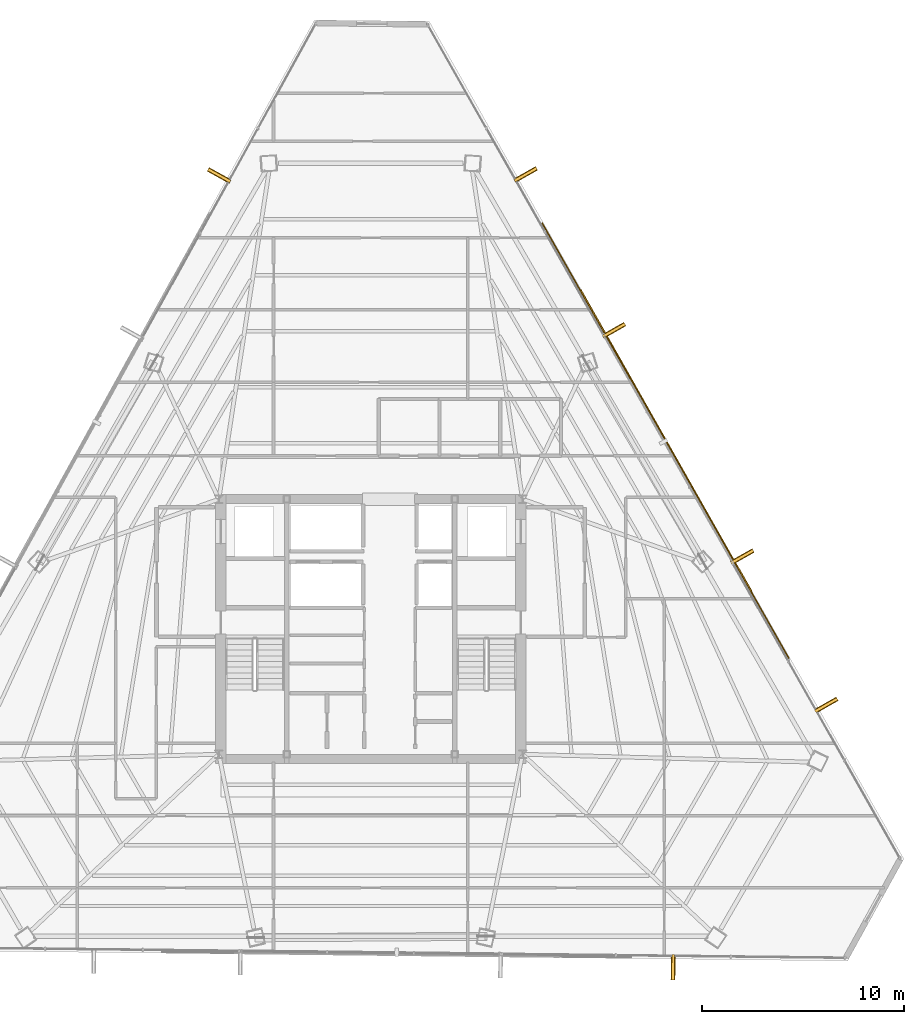
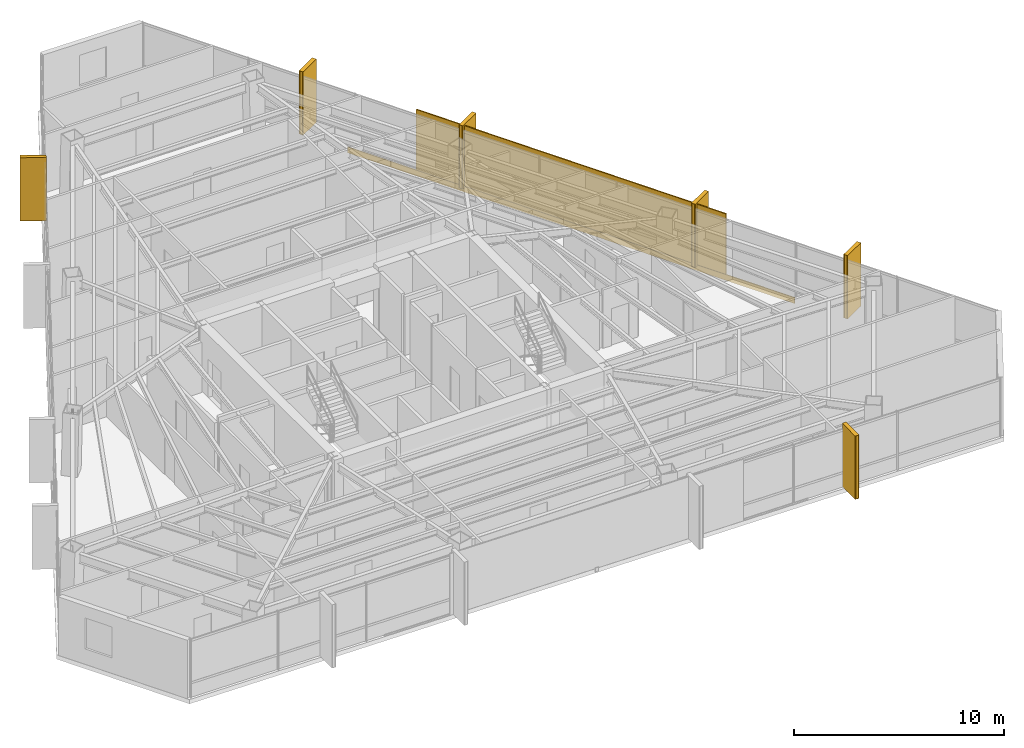
# One storey, part 42 of 42: 7 coverings, 7 shading devices.
"""IFC4 building model written with IfcOpenShell, lengths in metres."""

from ifc_helpers import new_model, si_unit, direction, frame, origin, origin_2d, place, context, subcontext, project, spatial, rectangle, extrude, source, transform, mapped, material, layer, layer_set, type_object, type_shapes, element, save


model = new_model("IFC4")

# Units and contexts
model_context = context("Model", 3, precision=1e-05, world=origin(), true_north=direction((0.0, 1.0)))
body_context = subcontext(model_context, "Body", "Model", "MODEL_VIEW")
ifc_project = project(units=[si_unit("LENGTHUNIT", "METRE"), si_unit("AREAUNIT", "SQUARE_METRE"), si_unit("VOLUMEUNIT", "CUBIC_METRE"), si_unit("PLANEANGLEUNIT", "RADIAN"), si_unit("MASSUNIT", "GRAM", prefix="KILO")], contexts=[model_context])

# Site, building, storey
site_placement = place(None, origin())
site = spatial("IfcSite", under=ifc_project, at=site_placement, CompositionType="ELEMENT")
building_placement = place(site_placement, origin())
building = spatial("IfcBuilding", under=site, at=building_placement, Name="Caelisora Broadcast Tower", CompositionType="ELEMENT")
storey_placement = place(building_placement, frame((0.0, 0.0, 205.949951171875)))
storey = spatial("IfcBuildingStorey", under=building, at=storey_placement, Name="L54", CompositionType="ELEMENT", Elevation=205.949951171875)

# Coverings
ifc_material_1 = material(Name="Kiln-Fired Terracotta Spandrel Rainscreen Cladding", Category="ceramic")
ifc_layer_1 = layer(ifc_material_1, 0.044921875, Name="Kiln-Fired Terracotta Spandrel Rainscreen Cladding")
ifc_layer_set_1 = layer_set([ifc_layer_1], Name="Kiln-Fired Terracotta Spandrel Rainscreen Cladding")
covering_type = type_object("IfcCoveringType", Name="CL-1", PredefinedType="CLADDING", material=ifc_layer_set_1)
shared_shape_1 = source(origin(), body_context, "Body", "SweptSolid", [
    extrude(rectangle(XDim=0.219970703125, YDim=1.25, at=origin_2d()), origin(), (0.0, 0.0, 1.0), 3.68994140625),
])
for number, where, z_axis, x_axis, name in (
    (1, (45.65380859375, 46.037109375, -0.02001953125), (0.0, 0.0, 1.0), (0.493031062956, -0.87001170737, 0.0), "L54 vertical solar fin cladding #1-1"),
    (2, (50.014404296875, 38.34130859375, -0.02001953125), (0.0, 0.0, 1.0), (0.493031062956, -0.87001170737, 0.0), "L54 vertical solar fin cladding #1-2"),
    (3, (56.35205078125, 27.15625, -0.02001953125), (0.0, 0.0, 1.0), (0.493031062956, -0.87001170737, 0.0), "L54 vertical solar fin cladding #1-3"),
    (4, (60.503173828125, 19.830078125, -0.02001953125), (0.0, 0.0, 1.0), (0.493031062956, -0.87001170737, 0.0), "L54 vertical solar fin cladding #1-4"),
    (5, (52.9375, 6.875, -0.02001953125), (0.0, 0.0, 1.0), (-0.99993565026, 0.011344396795, 0.0), "L54 vertical solar fin cladding #2-1"),
    (6, (30.51318359375, 45.9912109375, -0.02001953125), (0.0, 0.0, 1.0), (0.48312957851, 0.875548862354, 0.0), "L54 vertical solar fin cladding #3-4"),
):
    element("IfcCovering", number, at=place(storey_placement, frame(where, z_axis=z_axis, x_axis=x_axis)), inside=storey, type_object=covering_type, Name=name, PredefinedType="CLADDING", context=body_context, shape_type="MappedRepresentation", body=[
        mapped(shared_shape_1, transform((0.0, 0.0, 0.0), scale=1.0)),
    ])

# Shading devices
ifc_material_2 = material(Name="Extruded Terracotta Flaring Colonnade Fin", Category="ceramic")
ifc_layer_2 = layer(ifc_material_2, 0.139892578125, Name="Extruded Terracotta Flaring Colonnade Fin")
ifc_layer_set_2 = layer_set([ifc_layer_2], Name="Extruded Terracotta Flaring Colonnade Fin")
shading_device_type_1 = type_object("IfcShadingDeviceType", Name="FN-1", PredefinedType="USERDEFINED", material=ifc_layer_set_2)
shared_shape_2 = source(origin(), body_context, "Body", "SweptSolid", [
    extrude(rectangle(XDim=0.139892578125, YDim=1.25, at=origin_2d()), origin(), (0.0, 0.0, 1.0), 3.669921875),
])
type_shapes(shading_device_type_1, [shared_shape_2])
for number, where, z_axis, x_axis, name in (
    (7, (45.65380859375, 46.037109375, -0.010009765625), (0.0, 0.0, 1.0), (0.493031062956, -0.87001170737, 0.0), "L54 vertical terracotta fin #1-1"),
    (8, (50.014404296875, 38.34130859375, -0.010009765625), (0.0, 0.0, 1.0), (0.493031062956, -0.87001170737, 0.0), "L54 vertical terracotta fin #1-2"),
    (9, (56.35205078125, 27.15625, -0.010009765625), (0.0, 0.0, 1.0), (0.493031062956, -0.87001170737, 0.0), "L54 vertical terracotta fin #1-3"),
    (10, (60.503173828125, 19.830078125, -0.010009765625), (0.0, 0.0, 1.0), (0.493031062956, -0.87001170737, 0.0), "L54 vertical terracotta fin #1-4"),
    (11, (52.9375, 6.875, -0.010009765625), (0.0, 0.0, 1.0), (-0.99993565026, 0.011344396795, 0.0), "L54 vertical terracotta fin #2-1"),
    (12, (30.51318359375, 45.9912109375, -0.010009765625), (0.0, 0.0, 1.0), (0.48312957851, 0.875548862354, 0.0), "L54 vertical terracotta fin #3-4"),
):
    element("IfcShadingDevice", number, at=place(storey_placement, frame(where, z_axis=z_axis, x_axis=x_axis)), inside=storey, type_object=shading_device_type_1, Name=name, ObjectType="FIN", PredefinedType="USERDEFINED", context=body_context, shape_type="MappedRepresentation", body=[
        mapped(shared_shape_2, transform((0.0, 0.0, 0.0), scale=1.0)),
    ])
ifc_material_3 = material(Name="Perforated Glazed Terracotta Baguette Solar Screen", Category="ceramic")
ifc_layer_3 = layer(ifc_material_3, 0.06494140625, Name="Perforated Glazed Terracotta Baguette Solar Screen")
ifc_layer_set_3 = layer_set([ifc_layer_3], Name="Perforated Glazed Terracotta Baguette Solar Screen")
shading_device_type_2 = type_object("IfcShadingDeviceType", Name="SS-1", PredefinedType="USERDEFINED", material=ifc_layer_set_3)
shared_shape_3 = source(origin(), body_context, "Body", "SweptSolid", [
    extrude(rectangle(XDim=17.12109375, YDim=0.06494140625, at=origin_2d()), origin(), (0.0, 0.0, 1.0), 3.590087890625),
])
type_shapes(shading_device_type_2, [shared_shape_3])
shading_device_placement = place(storey_placement, frame((52.581787109375, 32.897705078125, 0.0), z_axis=(0.0, 0.0, 1.0), x_axis=(-0.493031062956, 0.87001170737, 0.0)))
element("IfcShadingDevice", 13, at=shading_device_placement, inside=storey, type_object=shading_device_type_2, Name="L54 perforated terracotta solar screen #3", ObjectType="SOLAR SCREEN", PredefinedType="USERDEFINED", context=body_context, shape_type="MappedRepresentation", body=[
    mapped(shared_shape_3, transform((0.0, 0.0, 0.0), scale=1.0)),
])

# Covering
shared_shape_4 = source(origin(), body_context, "Body", "SweptSolid", [
    extrude(rectangle(XDim=24.72998046875, YDim=0.044921875, at=origin_2d()), origin(), (0.0, 0.0, 1.0), 0.340087890625),
])
type_shapes(covering_type, [shared_shape_1, shared_shape_4])
covering_placement = place(storey_placement, frame((52.564208984375, 32.887939453125, -0.27001953125), z_axis=(0.0, 0.0, 1.0), x_axis=(-0.493031062956, 0.87001170737, 0.0)))
element("IfcCovering", 14, at=covering_placement, inside=storey, type_object=covering_type, Name="L54 terracotta spandrel rainscreen #3", PredefinedType="CLADDING", context=body_context, shape_type="MappedRepresentation", body=[
    mapped(shared_shape_4, transform((0.0, 0.0, 0.0), scale=1.0)),
])

save(model, "model.ifc")
